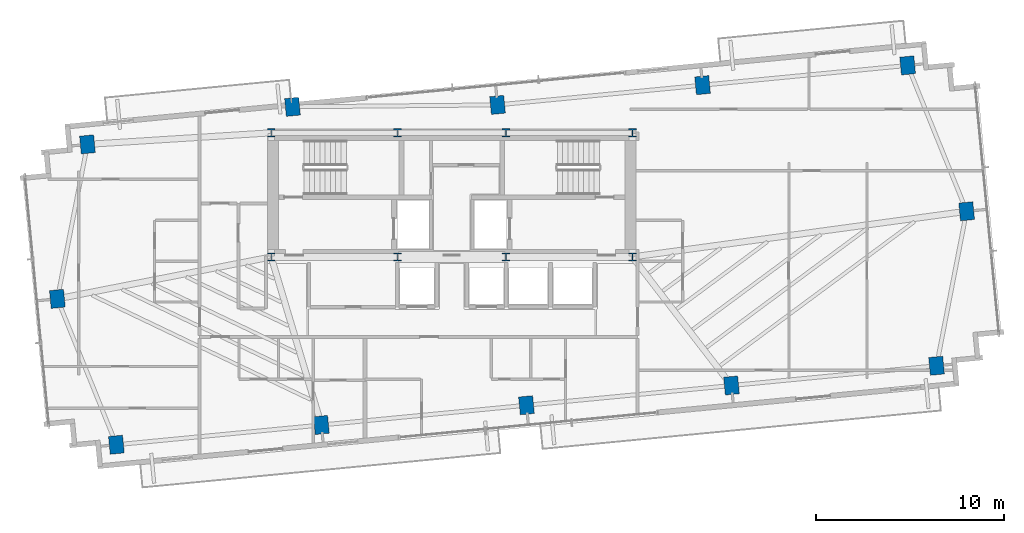
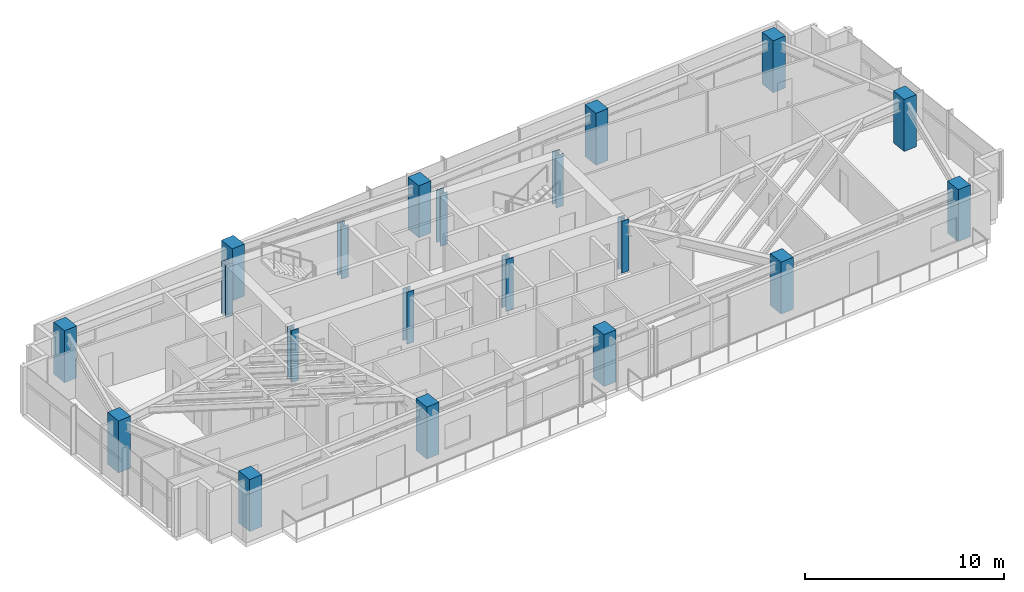
# One storey, part 1 of 18: 20 columns.
"""IFC4 building model written with IfcOpenShell, lengths in metres."""

from ifc_helpers import new_model, si_unit, direction, frame, origin, origin_2d, place, context, subcontext, project, spatial, rectangle, i_section, extrude, source, transform, mapped, material, material_profile, profile_set, type_object, type_shapes, element, save


model = new_model("IFC4")

# Units and contexts
model_context = context("Model", 3, precision=1e-05, world=origin(), true_north=direction((0.0, 1.0)))
body_context = subcontext(model_context, "Body", "Model", "MODEL_VIEW")
ifc_project = project(units=[si_unit("LENGTHUNIT", "METRE"), si_unit("AREAUNIT", "SQUARE_METRE"), si_unit("VOLUMEUNIT", "CUBIC_METRE"), si_unit("PLANEANGLEUNIT", "RADIAN"), si_unit("MASSUNIT", "GRAM", prefix="KILO")], contexts=[model_context])

# Site, building, storey
site_placement = place(None, origin())
site = spatial("IfcSite", under=ifc_project, at=site_placement, CompositionType="ELEMENT")
building_placement = place(site_placement, origin())
building = spatial("IfcBuilding", under=site, at=building_placement, Name="Astriad Promenade Condominiums", CompositionType="ELEMENT")
storey_placement = place(building_placement, frame((0.0, 0.0, 173.0)))
storey = spatial("IfcBuildingStorey", under=building, at=storey_placement, Name="L49", CompositionType="ELEMENT", Elevation=173.0)

# Columns
ifc_material_1 = material(Name="Steel ASTM A992 Grade 50", Category="steel")
ifc_material_profile_1 = material_profile(ifc_material_1, i_section(OverallWidth=0.41552734375, OverallDepth=0.445556640625, WebThickness=0.0390625, FlangeThickness=0.062744140625, FilletRadius=0.017822265625, at=origin_2d()), Name="W14X342")
ifc_profile_set_1 = profile_set([ifc_material_profile_1], Name="Steel ASTM A992 Grade 50")
column_type_1 = type_object("IfcColumnType", Name="STEEL CORE PILASTER W14X342", PredefinedType="PILASTER", material=ifc_profile_set_1)
shared_shape_1 = source(origin(), body_context, "Body", "SweptSolid", [
    extrude(i_section(OverallWidth=0.41552734375, OverallDepth=0.445556640625, WebThickness=0.0390625, FlangeThickness=0.062744140625, FilletRadius=0.017822265625, at=origin_2d()), origin(), (0.0, 0.0, 1.0), 3.196044921875),
])
type_shapes(column_type_1, [shared_shape_1])
for number, where, z_axis, x_axis, name in (
    (1, (26.39990234375, 17.39990234375, 0.001953125), (0.0, 0.0, 1.0), (1.0, 0.0, 0.0), "Core Pilaster Column CP1 (L49)"),
    (2, (33.1201171875, 17.39990234375, 0.001953125), (0.0, 0.0, 1.0), (1.0, 0.0, 0.0), "Core Pilaster Column CP2 (L49)"),
    (3, (38.8798828125, 17.39990234375, 0.001953125), (0.0, 0.0, 1.0), (1.0, 0.0, 0.0), "Core Pilaster Column CP3 (L49)"),
    (4, (45.60009765625, 17.39990234375, 0.001953125), (0.0, 0.0, 1.0), (1.0, 0.0, 0.0), "Core Pilaster Column CP4 (L49)"),
    (5, (26.39990234375, 24.0, 0.001953125), (0.0, 0.0, 1.0), (1.0, 0.0, 0.0), "Core Pilaster Column CP5 (L49)"),
    (6, (33.1201171875, 24.0, 0.001953125), (0.0, 0.0, 1.0), (1.0, 0.0, 0.0), "Core Pilaster Column CP6 (L49)"),
    (7, (38.8798828125, 24.0, 0.001953125), (0.0, 0.0, 1.0), (1.0, 0.0, 0.0), "Core Pilaster Column CP7 (L49)"),
    (8, (45.60009765625, 24.0, 0.001953125), (0.0, 0.0, 1.0), (1.0, 0.0, 0.0), "Core Pilaster Column CP8 (L49)"),
):
    element("IfcColumn", number, at=place(storey_placement, frame(where, z_axis=z_axis, x_axis=x_axis)), inside=storey, type_object=column_type_1, Name=name, PredefinedType="PILASTER", context=body_context, shape_type="MappedRepresentation", body=[
        mapped(shared_shape_1, transform((0.0, 0.0, 0.0), scale=1.0)),
    ])
ifc_material_2 = material(Name="Concrete C50/60", Category="concrete")
ifc_material_profile_2 = material_profile(ifc_material_2, rectangle(XDim=0.75, YDim=0.949951171875, at=origin_2d()), Name="RC-COL-950X750")
ifc_profile_set_2 = profile_set([ifc_material_profile_2], Name="Concrete C50/60")
column_type_2 = type_object("IfcColumnType", Name="CONCRETE TOWER COLUMN 950X750", PredefinedType="COLUMN", material=ifc_profile_set_2)
shared_shape_2 = source(origin(), body_context, "Body", "SweptSolid", [
    extrude(rectangle(XDim=0.75, YDim=0.949951171875, at=origin_2d()), origin(), (0.0, 0.0, 1.0), 3.196044921875),
])
type_shapes(column_type_2, [shared_shape_2])
for number, where, z_axis, x_axis, name in (
    (9, (18.16943359375, 7.41796875, 0.001953125), (0.0, 0.0, 1.0), (0.995396198367, 0.09584575252, 0.0), "Perimeter Column PC01 (L49)"),
    (10, (29.069091796875, 8.46728515625, 0.001953125), (0.0, 0.0, 1.0), (0.995396198367, 0.09584575252, 0.0), "Perimeter Column PC02 (L49)"),
    (11, (39.96875, 9.516845703125, 0.001953125), (0.0, 0.0, 1.0), (0.995396198367, 0.09584575252, 0.0), "Perimeter Column PC03 (L49)"),
    (12, (50.868408203125, 10.56640625, 0.001953125), (0.0, 0.0, 1.0), (0.995396198367, 0.09584575252, 0.0), "Perimeter Column PC04 (L49)"),
    (13, (61.767822265625, 11.615966796875, 0.001953125), (0.0, 0.0, 1.0), (0.995396198367, 0.09584575252, 0.0), "Perimeter Column PC05 (L49)"),
    (14, (16.632080078125, 23.384033203125, 0.001953125), (0.0, 0.0, 1.0), (0.995396198367, 0.09584575252, 0.0), "Perimeter Column PC06 (L49)"),
    (15, (27.53173828125, 25.3798828125, 0.001953125), (0.0, 0.0, 1.0), (0.995396198367, 0.09584575252, 0.0), "Perimeter Column PC07 (L49)"),
    (16, (38.431396484375, 25.483154296875, 0.001953125), (0.0, 0.0, 1.0), (0.995396198367, 0.09584575252, 0.0), "Perimeter Column PC08 (L49)"),
    (17, (49.330810546875, 26.53271484375, 0.001953125), (0.0, 0.0, 1.0), (0.995396198367, 0.09584575252, 0.0), "Perimeter Column PC09 (L49)"),
    (18, (60.23046875, 27.58203125, 0.001953125), (0.0, 0.0, 1.0), (0.995396198367, 0.09584575252, 0.0), "Perimeter Column PC10 (L49)"),
    (19, (15.03173828125, 15.1728515625, 0.001953125), (0.0, 0.0, 1.0), (0.995396198367, 0.09584575252, 0.0), "Perimeter Column PC11 (L49)"),
    (20, (63.3681640625, 19.8271484375, 0.001953125), (0.0, 0.0, 1.0), (0.995396198367, 0.09584575252, 0.0), "Perimeter Column PC12 (L49)"),
):
    element("IfcColumn", number, at=place(storey_placement, frame(where, z_axis=z_axis, x_axis=x_axis)), inside=storey, type_object=column_type_2, Name=name, PredefinedType="COLUMN", context=body_context, shape_type="MappedRepresentation", body=[
        mapped(shared_shape_2, transform((0.0, 0.0, 0.0), scale=1.0)),
    ])

save(model, "model.ifc")
